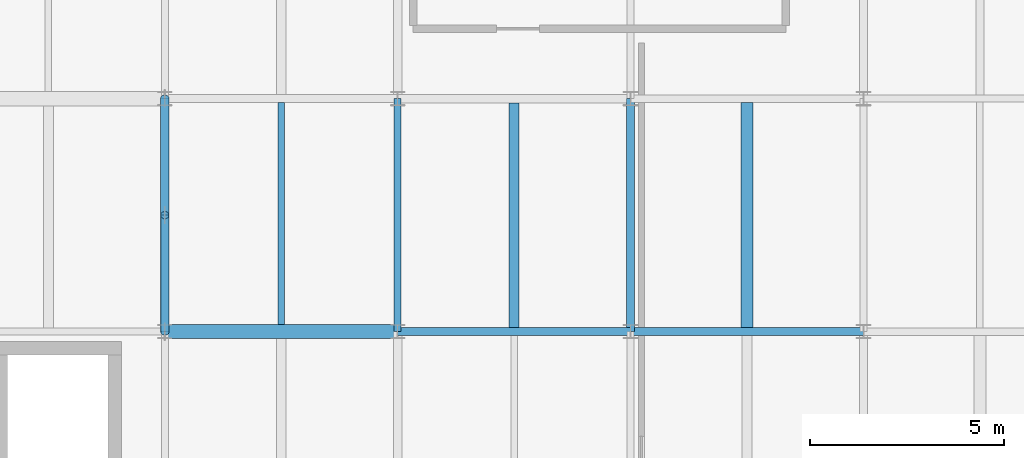
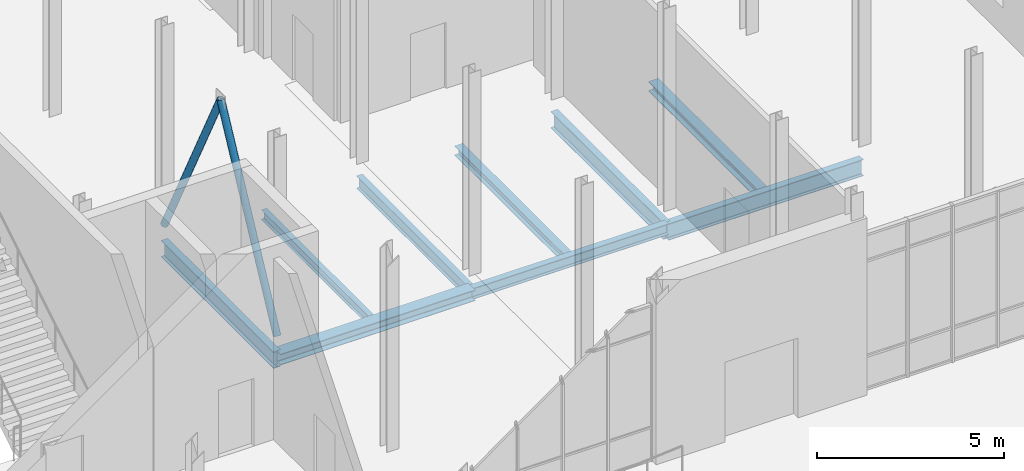
# One storey, part 76 of 140: 9 beams, 2 members.
"""IFC4 building model written with IfcOpenShell, lengths in metres."""

from ifc_helpers import new_model, si_unit, direction, frame, origin, origin_2d, place, context, subcontext, project, spatial, hollow_circle, i_section, extrude, material, material_profile, profile_set, type_object, element, save


model = new_model("IFC4")

# Units and contexts
model_context = context("Model", 3, precision=1e-05, world=origin(), true_north=direction((0.0, 1.0)))
body_context = subcontext(model_context, "Body", "Model", "MODEL_VIEW")
ifc_project = project(units=[si_unit("LENGTHUNIT", "METRE"), si_unit("AREAUNIT", "SQUARE_METRE"), si_unit("VOLUMEUNIT", "CUBIC_METRE"), si_unit("PLANEANGLEUNIT", "RADIAN"), si_unit("MASSUNIT", "GRAM", prefix="KILO")], contexts=[model_context])

# Site, building, storey
site_placement = place(None, origin())
site = spatial("IfcSite", under=ifc_project, at=site_placement, CompositionType="ELEMENT")
building_placement = place(site_placement, origin())
building = spatial("IfcBuilding", under=site, at=building_placement, Name="Verrall Gate Interchange", CompositionType="ELEMENT")
storey_placement = place(building_placement, origin())
storey = spatial("IfcBuildingStorey", under=building, at=storey_placement, Name="L01", CompositionType="ELEMENT", Elevation=0.0)

# Beams
ifc_material_1 = material(Name="Structural Steel CSA G40.21 350W", Category="steel")
ifc_material_profile_1 = material_profile(ifc_material_1, i_section(OverallWidth=0.2109375, OverallDepth=0.5390625, WebThickness=0.01171875, FlangeThickness=0.018798828125, FilletRadius=0.013916015625, at=origin_2d()), Name="W530x109")
ifc_profile_set_1 = profile_set([ifc_material_profile_1], Name="Structural Steel CSA G40.21 350W")
beam_type_1 = type_object("IfcBeamType", Name="B-10 Structural Beam W530x109", PredefinedType="BEAM", material=ifc_profile_set_1)
for number, where, z_axis, x_axis, name in (
    (1, (156.0, 22.0, -0.76953125), (1.0, 0.0, 0.0), (0.0, 1.0, 0.0), "L01 Girder BM-L01-0823 (B-10)"),
    (2, (144.0, 22.0, -0.76953125), (0.0, 1.0, 0.0), (-1.0, 0.0, 0.0), "L01 Girder BM-L01-1213 (B-10)"),
    (3, (156.0, 22.0, -0.76953125), (0.0, 1.0, 0.0), (-1.0, 0.0, 0.0), "L01 Girder BM-L01-1229 (B-10)"),
):
    element("IfcBeam", number, at=place(storey_placement, frame(where, z_axis=z_axis, x_axis=x_axis)), inside=storey, type_object=beam_type_1, Name=name, PredefinedType="BEAM", context=body_context, shape_type="SweptSolid", body=[
        extrude(i_section(OverallWidth=0.2109375, OverallDepth=0.5390625, WebThickness=0.01171875, FlangeThickness=0.018798828125, FilletRadius=0.013916015625, at=origin_2d()), origin(), (0.0, 0.0, 1.0), 6.0),
    ])
ifc_material_2 = material(Name="Structural Steel CSA G40.21 350W", Category="steel")
ifc_material_profile_2 = material_profile(ifc_material_2, i_section(OverallWidth=0.178955078125, OverallDepth=0.409912109375, WebThickness=0.0087890625, FlangeThickness=0.014404296875, FilletRadius=0.011962890625, at=origin_2d()), Name="W410x67")
ifc_profile_set_2 = profile_set([ifc_material_profile_2], Name="Structural Steel CSA G40.21 350W")
beam_type_2 = type_object("IfcBeamType", Name="B-12 Structural Beam W410x67", PredefinedType="BEAM", material=ifc_profile_set_2)
beam_1_placement = place(storey_placement, frame((150.0, 22.0, -0.705078125), z_axis=(0.0, 1.0, 0.0), x_axis=(-1.0, 0.0, 0.0)))
element("IfcBeam", 4, at=beam_1_placement, inside=storey, type_object=beam_type_2, Name="L01 Girder BM-L01-1221 (B-12)", PredefinedType="BEAM", context=body_context, shape_type="SweptSolid", body=[
    extrude(i_section(OverallWidth=0.178955078125, OverallDepth=0.409912109375, WebThickness=0.0087890625, FlangeThickness=0.014404296875, FilletRadius=0.011962890625, at=origin_2d()), origin(), (0.0, 0.0, 1.0), 6.0),
])
ifc_material_3 = material(Name="Structural Steel CSA G40.21 350W", Category="steel")
ifc_material_profile_3 = material_profile(ifc_material_3, i_section(OverallWidth=0.368896484375, OverallDepth=0.35595703125, WebThickness=0.01123046875, FlangeThickness=0.01806640625, FilletRadius=0.014892578125, at=origin_2d()), Name="W360x134")
ifc_profile_set_3 = profile_set([ifc_material_profile_3], Name="Structural Steel CSA G40.21 350W")
beam_type_3 = type_object("IfcBeamType", Name="B-13 Structural Beam W360x134", PredefinedType="BEAM", material=ifc_profile_set_3)
beam_2_placement = place(storey_placement, frame((144.0, 22.0, -0.677978515625), z_axis=(1.0, 0.0, 0.0), x_axis=(0.0, 1.0, 0.0)))
element("IfcBeam", 5, at=beam_2_placement, inside=storey, type_object=beam_type_3, Name="L01 Girder BM-L01-0821 (B-13)", PredefinedType="BEAM", context=body_context, shape_type="SweptSolid", body=[
    extrude(i_section(OverallWidth=0.368896484375, OverallDepth=0.35595703125, WebThickness=0.01123046875, FlangeThickness=0.01806640625, FilletRadius=0.014892578125, at=origin_2d()), origin(), (0.0, 0.0, 1.0), 6.0),
])
ifc_material_4 = material(Name="Structural Steel CSA G40.21 350W", Category="steel")
ifc_material_profile_4 = material_profile(ifc_material_4, i_section(OverallWidth=0.205078125, OverallDepth=0.35400390625, WebThickness=0.009521484375, FlangeThickness=0.016845703125, FilletRadius=0.012939453125, at=origin_2d()), Name="W360x79")
ifc_profile_set_4 = profile_set([ifc_material_profile_4], Name="Structural Steel CSA G40.21 350W")
beam_type_4 = type_object("IfcBeamType", Name="B-14 Structural Beam W360x79", PredefinedType="BEAM", material=ifc_profile_set_4)
beam_3_placement = place(storey_placement, frame((150.0, 22.0, -0.677001953125), z_axis=(1.0, 0.0, 0.0), x_axis=(0.0, 1.0, 0.0)))
element("IfcBeam", 6, at=beam_3_placement, inside=storey, type_object=beam_type_4, Name="L01 Girder BM-L01-0822 (B-14)", PredefinedType="BEAM", context=body_context, shape_type="SweptSolid", body=[
    extrude(i_section(OverallWidth=0.205078125, OverallDepth=0.35400390625, WebThickness=0.009521484375, FlangeThickness=0.016845703125, FilletRadius=0.012939453125, at=origin_2d()), origin(), (0.0, 0.0, 1.0), 6.0),
])

# Members
ifc_material_5 = material(Name="Structural Steel CSA G40.21 350W", Category="steel")
ifc_material_profile_5 = material_profile(ifc_material_5, hollow_circle(Radius=0.109619140625, WallThickness=0.008056640625, at=origin_2d()), Name="HSS219x8.0")
ifc_profile_set_5 = profile_set([ifc_material_profile_5], Name="Structural Steel CSA G40.21 350W")
member_type = type_object("IfcMemberType", Name="BR-02 Diagonal Brace HSS219x8.0", PredefinedType="BRACE", material=ifc_profile_set_5)
for number, where, z_axis, x_axis, name in (
    (7, (144.0, 22.0, 0.0), (0.0, 0.455077128294, 0.890452024145), (-1.0, 0.0, 0.0), "Chevron Brace CBF6 L01 Leg A"),
    (8, (144.0, 28.0, 0.0), (0.0, -0.455077128294, 0.890452024145), (1.0, 0.0, 0.0), "Chevron Brace CBF6 L01 Leg B"),
):
    element("IfcMember", number, at=place(storey_placement, frame(where, z_axis=z_axis, x_axis=x_axis)), inside=storey, type_object=member_type, Name=name, PredefinedType="BRACE", context=body_context, shape_type="SweptSolid", body=[
        extrude(hollow_circle(Radius=0.109619140625, WallThickness=0.008056640625, at=origin_2d()), origin(), (0.0, 0.0, 1.0), 6.59228515625),
    ])

# Beams
ifc_material_6 = material(Name="Structural Steel CSA G40.21 350W", Category="steel")
ifc_material_profile_6 = material_profile(ifc_material_6, i_section(OverallWidth=0.306884765625, OverallDepth=0.31396484375, WebThickness=0.011962890625, FlangeThickness=0.018798828125, FilletRadius=0.013916015625, at=origin_2d()), Name="W310x118")
ifc_profile_set_6 = profile_set([ifc_material_profile_6], Name="Structural Steel CSA G40.21 350W")
beam_type_5 = type_object("IfcBeamType", Name="J-02 Floor Joist W310x118", PredefinedType="JOIST", material=ifc_profile_set_6)
beam_4_placement = place(storey_placement, frame((159.0, 22.10546875, -0.656982421875), z_axis=(0.0, 1.0, 0.0), x_axis=(-1.0, 0.0, 0.0)))
element("IfcBeam", 9, at=beam_4_placement, inside=storey, type_object=beam_type_5, Name="L01 Secondary Floor Joist JST-L01-1324", PredefinedType="JOIST", context=body_context, shape_type="SweptSolid", body=[
    extrude(i_section(OverallWidth=0.306884765625, OverallDepth=0.31396484375, WebThickness=0.011962890625, FlangeThickness=0.018798828125, FilletRadius=0.013916015625, at=origin_2d()), origin(), (0.0, 0.0, 1.0), 5.798583984375),
])
ifc_material_7 = material(Name="Structural Steel CSA G40.21 350W", Category="steel")
ifc_material_profile_7 = material_profile(ifc_material_7, i_section(OverallWidth=0.25390625, OverallDepth=0.305908203125, WebThickness=0.0087890625, FlangeThickness=0.0146484375, FilletRadius=0.012939453125, at=origin_2d()), Name="W310x79")
ifc_profile_set_7 = profile_set([ifc_material_profile_7], Name="Structural Steel CSA G40.21 350W")
beam_type_6 = type_object("IfcBeamType", Name="J-03 Floor Joist W310x79", PredefinedType="JOIST", material=ifc_profile_set_7)
beam_5_placement = place(storey_placement, frame((153.0, 22.1025390625, -0.653076171875), z_axis=(0.0, 1.0, 0.0), x_axis=(-1.0, 0.0, 0.0)))
element("IfcBeam", 10, at=beam_5_placement, inside=storey, type_object=beam_type_6, Name="L01 Secondary Floor Joist JST-L01-1323", PredefinedType="JOIST", context=body_context, shape_type="SweptSolid", body=[
    extrude(i_section(OverallWidth=0.25390625, OverallDepth=0.305908203125, WebThickness=0.0087890625, FlangeThickness=0.0146484375, FilletRadius=0.012939453125, at=origin_2d()), origin(), (0.0, 0.0, 1.0), 5.7919921875),
])
ifc_material_8 = material(Name="Structural Steel CSA G40.21 350W", Category="steel")
ifc_material_profile_8 = material_profile(ifc_material_8, i_section(OverallWidth=0.1650390625, OverallDepth=0.31005859375, WebThickness=0.005859375, FlangeThickness=0.009765625, FilletRadius=0.010009765625, at=origin_2d()), Name="W310x39")
ifc_profile_set_8 = profile_set([ifc_material_profile_8], Name="Structural Steel CSA G40.21 350W")
beam_type_7 = type_object("IfcBeamType", Name="J-04 Floor Joist W310x39", PredefinedType="JOIST", material=ifc_profile_set_8)
beam_6_placement = place(storey_placement, frame((147.0, 22.1845703125, -0.655029296875), z_axis=(0.0, 1.0, 0.0), x_axis=(-1.0, 0.0, 0.0)))
element("IfcBeam", 11, at=beam_6_placement, inside=storey, type_object=beam_type_7, Name="L01 Secondary Floor Joist JST-L01-1322", PredefinedType="JOIST", context=body_context, shape_type="SweptSolid", body=[
    extrude(i_section(OverallWidth=0.1650390625, OverallDepth=0.31005859375, WebThickness=0.005859375, FlangeThickness=0.009765625, FilletRadius=0.010009765625, at=origin_2d()), origin(), (0.0, 0.0, 1.0), 5.712890625),
])

save(model, "model.ifc")
